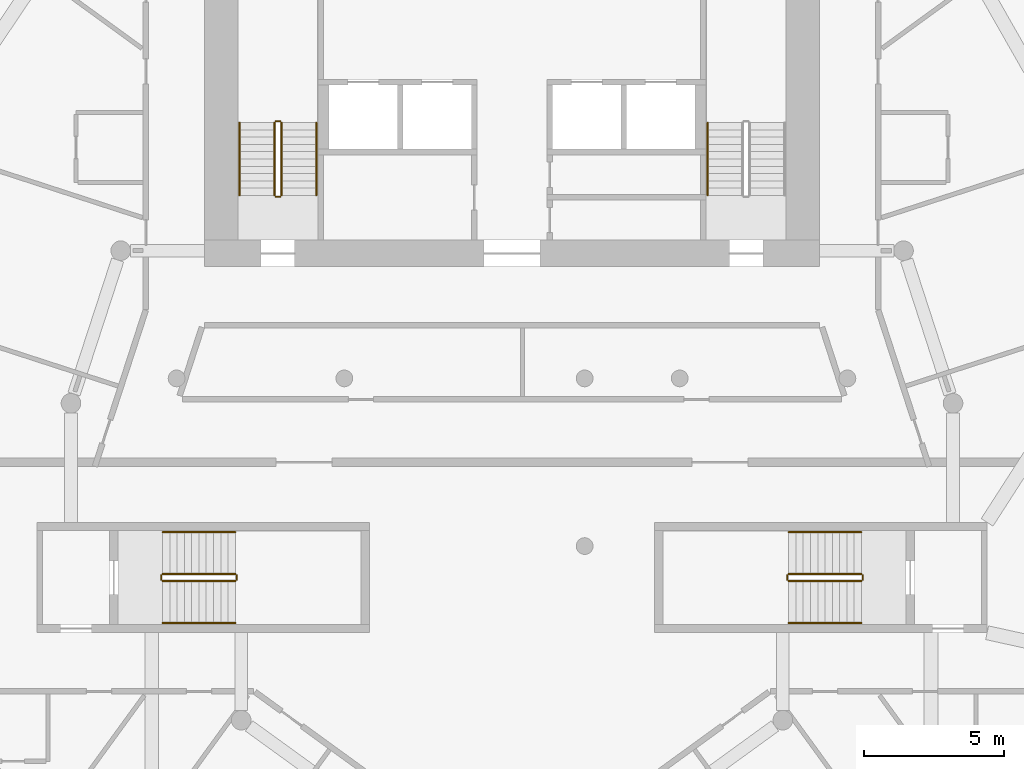
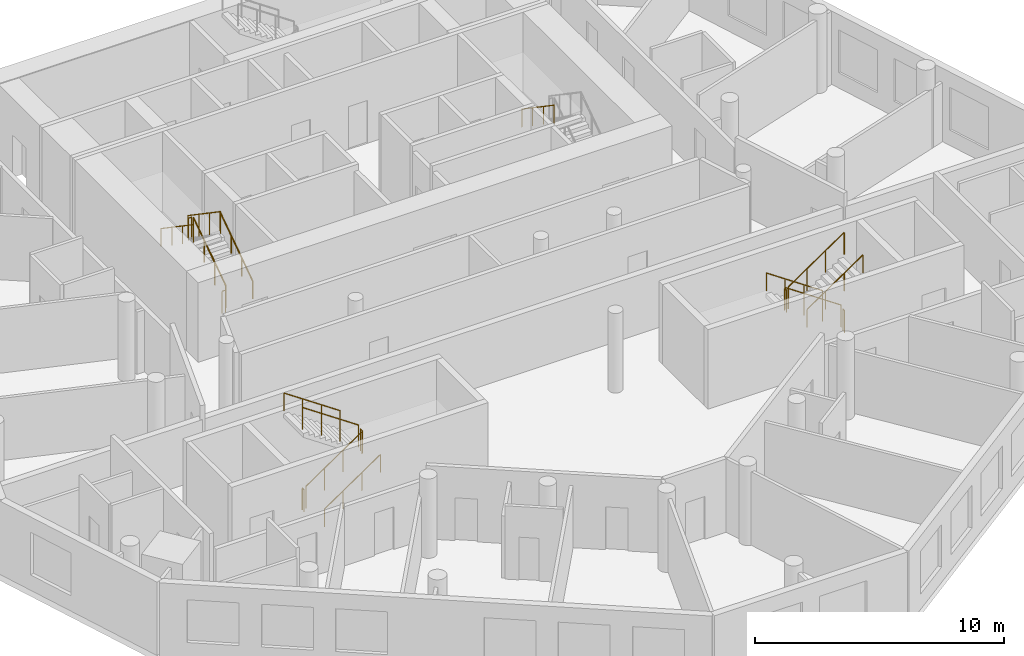
# One storey, part 8 of 9: 19 railings.
"""IFC4 building model written with IfcOpenShell, lengths in metres."""

from ifc_helpers import new_model, si_unit, direction, frame, origin, origin_2d, place, context, subcontext, project, spatial, circle, extrude, material, type_object, element, save


model = new_model("IFC4")

# Units and contexts
model_context = context("Model", 3, precision=1e-05, world=origin(), true_north=direction((0.0, 1.0)))
body_context = subcontext(model_context, "Body", "Model", "MODEL_VIEW")
ifc_project = project(units=[si_unit("LENGTHUNIT", "METRE"), si_unit("AREAUNIT", "SQUARE_METRE"), si_unit("VOLUMEUNIT", "CUBIC_METRE"), si_unit("PLANEANGLEUNIT", "RADIAN"), si_unit("MASSUNIT", "GRAM", prefix="KILO")], contexts=[model_context])

# Site, building, storey
site_placement = place(None, origin())
site = spatial("IfcSite", under=ifc_project, at=site_placement, CompositionType="ELEMENT")
building_placement = place(site_placement, origin())
building = spatial("IfcBuilding", under=site, at=building_placement, Name="White Candle Pilgrim Tower", CompositionType="ELEMENT")
storey_placement = place(building_placement, frame((0.0, 0.0, 164.199951171875)))
storey = spatial("IfcBuildingStorey", under=building, at=storey_placement, Name="L37", CompositionType="ELEMENT", Elevation=164.199951171875)

# Railings
ifc_material = material(Name="Stainless steel", Category="steel")
railing_type_1 = type_object("IfcRailingType", Name="Stair guard stainless steel 1100 mm", PredefinedType="GUARDRAIL", material=ifc_material)
railing_1_placement = place(storey_placement, frame((61.75, 73.550048828125, 0.17724609375)))
element("IfcRailing", 1, at=railing_1_placement, inside=storey, type_object=railing_type_1, Name="L37 ST1 stair guard 1", PredefinedType="GUARDRAIL", context=body_context, shape_type="SweptSolid", body=[
    extrude(circle(Radius=0.02392578125, at=origin_2d()), frame((0.0, 0.0, 1.076171875), z_axis=(0.0, 0.826215852431, 0.563353676824), x_axis=(-1.0, 0.0, 0.0)), (0.0, 0.0, 1.0), 3.146728515625),
    extrude(circle(Radius=0.02099609375, at=origin_2d()), origin(), (0.0, 0.0, 1.0), 1.052001953125),
    extrude(circle(Radius=0.02099609375, at=origin_2d()), frame((0.0, 0.86669921875, 0.5908203125)), (0.0, 0.0, 1.0), 1.052001953125),
    extrude(circle(Radius=0.02099609375, at=origin_2d()), frame((0.0, 1.733154296875, 1.181884765625)), (0.0, 0.0, 1.0), 1.052001953125),
    extrude(circle(Radius=0.02099609375, at=origin_2d()), frame((0.0, 2.599853515625, 1.772705078125)), (0.0, 0.0, 1.0), 1.052001953125),
])
railing_2_placement = place(storey_placement, frame((61.699951171875, 76.199951171875, 1.949951171875)))
element("IfcRailing", 2, at=railing_2_placement, inside=storey, type_object=railing_type_1, Name="L37 ST1 stair guard 2", PredefinedType="GUARDRAIL", context=body_context, shape_type="SweptSolid", body=[
    extrude(circle(Radius=0.02392578125, at=origin_2d()), frame((0.0, 0.0, 1.076171875), z_axis=(-1.0, 0.0, 0.0), x_axis=(0.0, -1.0, 0.0)), (0.0, 0.0, 1.0), 0.14990234375),
    extrude(circle(Radius=0.02099609375, at=origin_2d()), origin(), (0.0, 0.0, 1.0), 1.052001953125),
    extrude(circle(Radius=0.02099609375, at=origin_2d()), frame((-0.14990234375, 0.0, 0.0)), (0.0, 0.0, 1.0), 1.052001953125),
])
railing_3_placement = place(storey_placement, frame((61.5, 76.14990234375, 2.12744140625)))
element("IfcRailing", 3, at=railing_3_placement, inside=storey, type_object=railing_type_1, Name="L37 ST1 stair guard 3", PredefinedType="GUARDRAIL", context=body_context, shape_type="SweptSolid", body=[
    extrude(circle(Radius=0.02392578125, at=origin_2d()), frame((0.0, 0.0, 1.076171875), z_axis=(0.0, -0.826215852431, 0.563353676824), x_axis=(1.0, 0.0, 0.0)), (0.0, 0.0, 1.0), 3.146728515625),
    extrude(circle(Radius=0.02099609375, at=origin_2d()), origin(), (0.0, 0.0, 1.0), 1.052001953125),
    extrude(circle(Radius=0.02099609375, at=origin_2d()), frame((0.0, -0.86669921875, 0.5908203125)), (0.0, 0.0, 1.0), 1.052001953125),
    extrude(circle(Radius=0.02099609375, at=origin_2d()), frame((0.0, -1.733154296875, 1.181884765625)), (0.0, 0.0, 1.0), 1.052001953125),
    extrude(circle(Radius=0.02099609375, at=origin_2d()), frame((0.0, -2.599853515625, 1.772705078125)), (0.0, 0.0, 1.0), 1.052001953125),
])
railing_4_placement = place(storey_placement, frame((61.699951171875, 73.5, 0.0)))
element("IfcRailing", 4, at=railing_4_placement, inside=storey, type_object=railing_type_1, Name="L37 ST1 stair guard 4", PredefinedType="GUARDRAIL", context=body_context, shape_type="SweptSolid", body=[
    extrude(circle(Radius=0.02392578125, at=origin_2d()), frame((0.0, 0.0, 1.076171875), z_axis=(-1.0, 0.0, 0.0), x_axis=(0.0, -1.0, 0.0)), (0.0, 0.0, 1.0), 0.14990234375),
    extrude(circle(Radius=0.02099609375, at=origin_2d()), origin(), (0.0, 0.0, 1.0), 1.052001953125),
    extrude(circle(Radius=0.02099609375, at=origin_2d()), frame((-0.14990234375, 0.0, 0.0)), (0.0, 0.0, 1.0), 1.052001953125),
])
railing_5_placement = place(storey_placement, frame((82.5, 60.0, 0.17724609375)))
element("IfcRailing", 5, at=railing_5_placement, inside=storey, type_object=railing_type_1, Name="L37 ST4 stair guard 1", PredefinedType="GUARDRAIL", context=body_context, shape_type="SweptSolid", body=[
    extrude(circle(Radius=0.02392578125, at=origin_2d()), frame((0.0, 0.0, 1.076171875), z_axis=(-0.826240473404, 0.0, 0.563317565952), x_axis=(0.0, -1.0, 0.0)), (0.0, 0.0, 1.0), 3.14697265625),
    extrude(circle(Radius=0.02099609375, at=origin_2d()), origin(), (0.0, 0.0, 1.0), 1.052001953125),
    extrude(circle(Radius=0.02099609375, at=origin_2d()), frame((-0.86669921875, 0.0, 0.5908203125)), (0.0, 0.0, 1.0), 1.052001953125),
    extrude(circle(Radius=0.02099609375, at=origin_2d()), frame((-1.7333984375, 0.0, 1.181884765625)), (0.0, 0.0, 1.0), 1.052001953125),
    extrude(circle(Radius=0.02099609375, at=origin_2d()), frame((-2.60009765625, 0.0, 1.772705078125)), (0.0, 0.0, 1.0), 1.052001953125),
])
railing_6_placement = place(storey_placement, frame((79.85009765625, 59.949951171875, 1.949951171875)))
element("IfcRailing", 6, at=railing_6_placement, inside=storey, type_object=railing_type_1, Name="L37 ST4 stair guard 2", PredefinedType="GUARDRAIL", context=body_context, shape_type="SweptSolid", body=[
    extrude(circle(Radius=0.02392578125, at=origin_2d()), frame((0.0, 0.0, 1.076171875), z_axis=(0.0, -1.0, 0.0), x_axis=(1.0, 0.0, 0.0)), (0.0, 0.0, 1.0), 0.14990234375),
    extrude(circle(Radius=0.02099609375, at=origin_2d()), origin(), (0.0, 0.0, 1.0), 1.052001953125),
    extrude(circle(Radius=0.02099609375, at=origin_2d()), frame((0.0, -0.14990234375, 0.0)), (0.0, 0.0, 1.0), 1.052001953125),
])
railing_7_placement = place(storey_placement, frame((79.89990234375, 59.75, 2.12744140625)))
element("IfcRailing", 7, at=railing_7_placement, inside=storey, type_object=railing_type_1, Name="L37 ST4 stair guard 3", PredefinedType="GUARDRAIL", context=body_context, shape_type="SweptSolid", body=[
    extrude(circle(Radius=0.02392578125, at=origin_2d()), frame((0.0, 0.0, 1.076171875), z_axis=(0.826240473404, 0.0, 0.563317565952), x_axis=(0.0, 1.0, 0.0)), (0.0, 0.0, 1.0), 3.14697265625),
    extrude(circle(Radius=0.02099609375, at=origin_2d()), origin(), (0.0, 0.0, 1.0), 1.052001953125),
    extrude(circle(Radius=0.02099609375, at=origin_2d()), frame((0.86669921875, 0.0, 0.5908203125)), (0.0, 0.0, 1.0), 1.052001953125),
    extrude(circle(Radius=0.02099609375, at=origin_2d()), frame((1.7333984375, 0.0, 1.181884765625)), (0.0, 0.0, 1.0), 1.052001953125),
    extrude(circle(Radius=0.02099609375, at=origin_2d()), frame((2.60009765625, 0.0, 1.772705078125)), (0.0, 0.0, 1.0), 1.052001953125),
])
railing_8_placement = place(storey_placement, frame((82.550048828125, 59.949951171875, 0.0)))
element("IfcRailing", 8, at=railing_8_placement, inside=storey, type_object=railing_type_1, Name="L37 ST4 stair guard 4", PredefinedType="GUARDRAIL", context=body_context, shape_type="SweptSolid", body=[
    extrude(circle(Radius=0.02392578125, at=origin_2d()), frame((0.0, 0.0, 1.076171875), z_axis=(0.0, -1.0, 0.0), x_axis=(1.0, 0.0, 0.0)), (0.0, 0.0, 1.0), 0.14990234375),
    extrude(circle(Radius=0.02099609375, at=origin_2d()), origin(), (0.0, 0.0, 1.0), 1.052001953125),
    extrude(circle(Radius=0.02099609375, at=origin_2d()), frame((0.0, -0.14990234375, 0.0)), (0.0, 0.0, 1.0), 1.052001953125),
])
railing_9_placement = place(storey_placement, frame((57.5, 59.75, 0.17724609375)))
element("IfcRailing", 9, at=railing_9_placement, inside=storey, type_object=railing_type_1, Name="L37 ST5 stair guard 1", PredefinedType="GUARDRAIL", context=body_context, shape_type="SweptSolid", body=[
    extrude(circle(Radius=0.02392578125, at=origin_2d()), frame((0.0, 0.0, 1.076171875), z_axis=(0.826240473404, 0.0, 0.563317565952), x_axis=(0.0, 1.0, 0.0)), (0.0, 0.0, 1.0), 3.14697265625),
    extrude(circle(Radius=0.02099609375, at=origin_2d()), origin(), (0.0, 0.0, 1.0), 1.052001953125),
    extrude(circle(Radius=0.02099609375, at=origin_2d()), frame((0.86669921875, 0.0, 0.5908203125)), (0.0, 0.0, 1.0), 1.052001953125),
    extrude(circle(Radius=0.02099609375, at=origin_2d()), frame((1.7333984375, 0.0, 1.181884765625)), (0.0, 0.0, 1.0), 1.052001953125),
    extrude(circle(Radius=0.02099609375, at=origin_2d()), frame((2.60009765625, 0.0, 1.772705078125)), (0.0, 0.0, 1.0), 1.052001953125),
])
railing_10_placement = place(storey_placement, frame((60.14990234375, 59.800048828125, 1.949951171875)))
element("IfcRailing", 10, at=railing_10_placement, inside=storey, type_object=railing_type_1, Name="L37 ST5 stair guard 2", PredefinedType="GUARDRAIL", context=body_context, shape_type="SweptSolid", body=[
    extrude(circle(Radius=0.02392578125, at=origin_2d()), frame((0.0, 0.0, 1.076171875), z_axis=(0.0, 1.0, 0.0), x_axis=(-1.0, 0.0, 0.0)), (0.0, 0.0, 1.0), 0.14990234375),
    extrude(circle(Radius=0.02099609375, at=origin_2d()), origin(), (0.0, 0.0, 1.0), 1.052001953125),
    extrude(circle(Radius=0.02099609375, at=origin_2d()), frame((0.0, 0.14990234375, 0.0)), (0.0, 0.0, 1.0), 1.052001953125),
])
railing_11_placement = place(storey_placement, frame((60.10009765625, 60.0, 2.12744140625)))
element("IfcRailing", 11, at=railing_11_placement, inside=storey, type_object=railing_type_1, Name="L37 ST5 stair guard 3", PredefinedType="GUARDRAIL", context=body_context, shape_type="SweptSolid", body=[
    extrude(circle(Radius=0.02392578125, at=origin_2d()), frame((0.0, 0.0, 1.076171875), z_axis=(-0.826240473404, 0.0, 0.563317565952), x_axis=(0.0, -1.0, 0.0)), (0.0, 0.0, 1.0), 3.14697265625),
    extrude(circle(Radius=0.02099609375, at=origin_2d()), origin(), (0.0, 0.0, 1.0), 1.052001953125),
    extrude(circle(Radius=0.02099609375, at=origin_2d()), frame((-0.86669921875, 0.0, 0.5908203125)), (0.0, 0.0, 1.0), 1.052001953125),
    extrude(circle(Radius=0.02099609375, at=origin_2d()), frame((-1.7333984375, 0.0, 1.181884765625)), (0.0, 0.0, 1.0), 1.052001953125),
    extrude(circle(Radius=0.02099609375, at=origin_2d()), frame((-2.60009765625, 0.0, 1.772705078125)), (0.0, 0.0, 1.0), 1.052001953125),
])
railing_12_placement = place(storey_placement, frame((57.449951171875, 59.800048828125, 0.0)))
element("IfcRailing", 12, at=railing_12_placement, inside=storey, type_object=railing_type_1, Name="L37 ST5 stair guard 4", PredefinedType="GUARDRAIL", context=body_context, shape_type="SweptSolid", body=[
    extrude(circle(Radius=0.02392578125, at=origin_2d()), frame((0.0, 0.0, 1.076171875), z_axis=(0.0, 1.0, 0.0), x_axis=(-1.0, 0.0, 0.0)), (0.0, 0.0, 1.0), 0.14990234375),
    extrude(circle(Radius=0.02099609375, at=origin_2d()), origin(), (0.0, 0.0, 1.0), 1.052001953125),
    extrude(circle(Radius=0.02099609375, at=origin_2d()), frame((0.0, 0.14990234375, 0.0)), (0.0, 0.0, 1.0), 1.052001953125),
])
railing_type_2 = type_object("IfcRailingType", Name="Stair handrail stainless steel", PredefinedType="HANDRAIL", material=ifc_material)
railing_13_placement = place(storey_placement, frame((63.0, 73.550048828125, 0.17724609375)))
element("IfcRailing", 13, at=railing_13_placement, inside=storey, type_object=railing_type_2, Name="L37 ST1 stair handrail 1", PredefinedType="HANDRAIL", context=body_context, shape_type="SweptSolid", body=[
    extrude(circle(Radius=0.02392578125, at=origin_2d()), frame((0.0, 0.0, 0.8759765625), z_axis=(0.0, 0.826215852431, 0.563353676824), x_axis=(-1.0, 0.0, 0.0)), (0.0, 0.0, 1.0), 3.146728515625),
    extrude(circle(Radius=0.02099609375, at=origin_2d()), origin(), (0.0, 0.0, 1.0), 0.851806640625),
    extrude(circle(Radius=0.02099609375, at=origin_2d()), frame((0.0, 0.86669921875, 0.5908203125)), (0.0, 0.0, 1.0), 0.851806640625),
    extrude(circle(Radius=0.02099609375, at=origin_2d()), frame((0.0, 1.733154296875, 1.181884765625)), (0.0, 0.0, 1.0), 0.851806640625),
    extrude(circle(Radius=0.02099609375, at=origin_2d()), frame((0.0, 2.599853515625, 1.772705078125)), (0.0, 0.0, 1.0), 0.851806640625),
])
for number, where, name in (
    (14, (60.25, 76.14990234375, 2.12744140625), "L37 ST1 stair handrail 2"),
    (15, (77.0, 76.14990234375, 2.12744140625), "L37 ST2 stair handrail 2"),
):
    element("IfcRailing", number, at=place(storey_placement, frame(where)), inside=storey, type_object=railing_type_2, Name=name, PredefinedType="HANDRAIL", context=body_context, shape_type="SweptSolid", body=[
        extrude(circle(Radius=0.02392578125, at=origin_2d()), frame((0.0, 0.0, 0.8759765625), z_axis=(0.0, -0.826215852431, 0.563353676824), x_axis=(1.0, 0.0, 0.0)), (0.0, 0.0, 1.0), 3.146728515625),
        extrude(circle(Radius=0.02099609375, at=origin_2d()), origin(), (0.0, 0.0, 1.0), 0.851806640625),
        extrude(circle(Radius=0.02099609375, at=origin_2d()), frame((0.0, -0.86669921875, 0.5908203125)), (0.0, 0.0, 1.0), 0.851806640625),
        extrude(circle(Radius=0.02099609375, at=origin_2d()), frame((0.0, -1.733154296875, 1.181884765625)), (0.0, 0.0, 1.0), 0.851806640625),
        extrude(circle(Radius=0.02099609375, at=origin_2d()), frame((0.0, -2.599853515625, 1.772705078125)), (0.0, 0.0, 1.0), 0.851806640625),
    ])
railing_14_placement = place(storey_placement, frame((82.5, 61.5, 0.17724609375)))
element("IfcRailing", 16, at=railing_14_placement, inside=storey, type_object=railing_type_2, Name="L37 ST4 stair handrail 1", PredefinedType="HANDRAIL", context=body_context, shape_type="SweptSolid", body=[
    extrude(circle(Radius=0.02392578125, at=origin_2d()), frame((0.0, 0.0, 0.8759765625), z_axis=(-0.826240473404, 0.0, 0.563317565952), x_axis=(0.0, -1.0, 0.0)), (0.0, 0.0, 1.0), 3.14697265625),
    extrude(circle(Radius=0.02099609375, at=origin_2d()), origin(), (0.0, 0.0, 1.0), 0.851806640625),
    extrude(circle(Radius=0.02099609375, at=origin_2d()), frame((-0.86669921875, 0.0, 0.5908203125)), (0.0, 0.0, 1.0), 0.851806640625),
    extrude(circle(Radius=0.02099609375, at=origin_2d()), frame((-1.7333984375, 0.0, 1.181884765625)), (0.0, 0.0, 1.0), 0.851806640625),
    extrude(circle(Radius=0.02099609375, at=origin_2d()), frame((-2.60009765625, 0.0, 1.772705078125)), (0.0, 0.0, 1.0), 0.851806640625),
])
for number, where, name in (
    (17, (79.89990234375, 58.25, 2.12744140625), "L37 ST4 stair handrail 2"),
    (18, (57.5, 58.25, 0.17724609375), "L37 ST5 stair handrail 1"),
):
    element("IfcRailing", number, at=place(storey_placement, frame(where)), inside=storey, type_object=railing_type_2, Name=name, PredefinedType="HANDRAIL", context=body_context, shape_type="SweptSolid", body=[
        extrude(circle(Radius=0.02392578125, at=origin_2d()), frame((0.0, 0.0, 0.8759765625), z_axis=(0.826240473404, 0.0, 0.563317565952), x_axis=(0.0, 1.0, 0.0)), (0.0, 0.0, 1.0), 3.14697265625),
        extrude(circle(Radius=0.02099609375, at=origin_2d()), origin(), (0.0, 0.0, 1.0), 0.851806640625),
        extrude(circle(Radius=0.02099609375, at=origin_2d()), frame((0.86669921875, 0.0, 0.5908203125)), (0.0, 0.0, 1.0), 0.851806640625),
        extrude(circle(Radius=0.02099609375, at=origin_2d()), frame((1.7333984375, 0.0, 1.181884765625)), (0.0, 0.0, 1.0), 0.851806640625),
        extrude(circle(Radius=0.02099609375, at=origin_2d()), frame((2.60009765625, 0.0, 1.772705078125)), (0.0, 0.0, 1.0), 0.851806640625),
    ])
railing_15_placement = place(storey_placement, frame((60.10009765625, 61.5, 2.12744140625)))
element("IfcRailing", 19, at=railing_15_placement, inside=storey, type_object=railing_type_2, Name="L37 ST5 stair handrail 2", PredefinedType="HANDRAIL", context=body_context, shape_type="SweptSolid", body=[
    extrude(circle(Radius=0.02392578125, at=origin_2d()), frame((0.0, 0.0, 0.8759765625), z_axis=(-0.826240473404, 0.0, 0.563317565952), x_axis=(0.0, -1.0, 0.0)), (0.0, 0.0, 1.0), 3.14697265625),
    extrude(circle(Radius=0.02099609375, at=origin_2d()), origin(), (0.0, 0.0, 1.0), 0.851806640625),
    extrude(circle(Radius=0.02099609375, at=origin_2d()), frame((-0.86669921875, 0.0, 0.5908203125)), (0.0, 0.0, 1.0), 0.851806640625),
    extrude(circle(Radius=0.02099609375, at=origin_2d()), frame((-1.7333984375, 0.0, 1.181884765625)), (0.0, 0.0, 1.0), 0.851806640625),
    extrude(circle(Radius=0.02099609375, at=origin_2d()), frame((-2.60009765625, 0.0, 1.772705078125)), (0.0, 0.0, 1.0), 0.851806640625),
])

save(model, "model.ifc")
